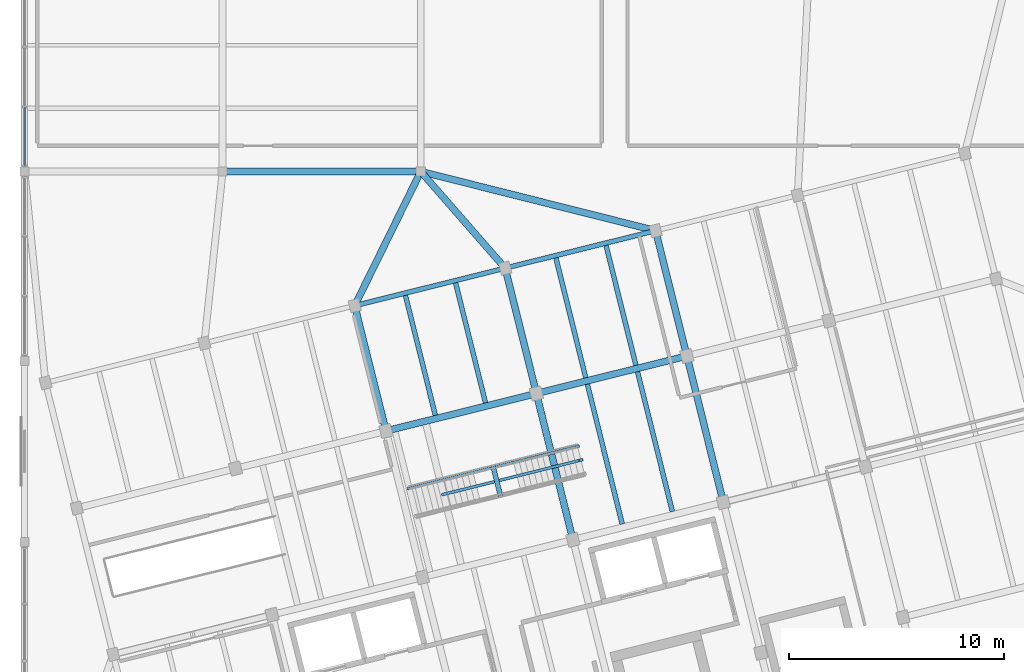
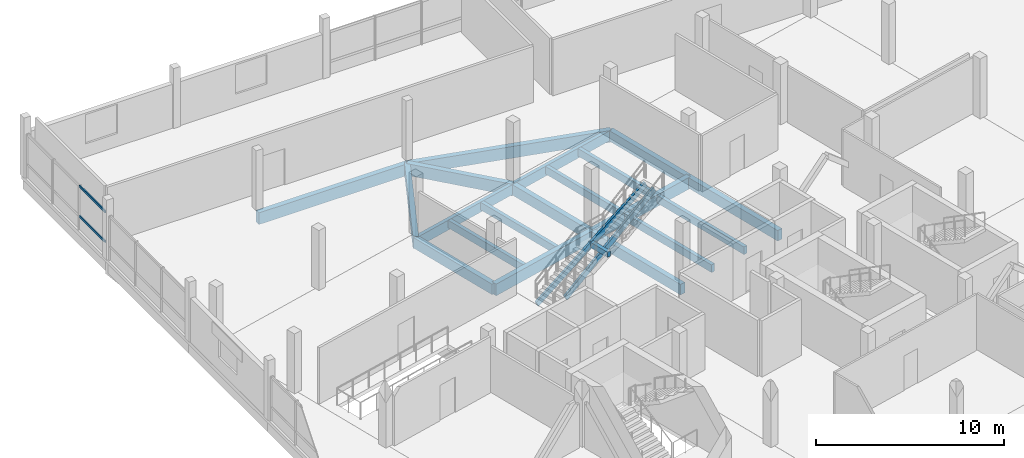
# One storey, part 31 of 47: 20 beams, 4 members, 1 element without a shape of its own.
"""IFC4 building model written with IfcOpenShell, lengths in metres."""

import ifcopenshell
import ifcopenshell.guid

model = None  # the IFC model being written
_history = None  # IfcOwnerHistory: only IFC2X3 demands one
_inside = {}  # id of a spatial element -> (the spatial element, [elements in it])
_under = {}  # id of a project, library or spatial element -> (it, [spatial elements below it])
_declared = {}  # id of a project -> (the project, [libraries it declares])
_typed = {}  # id of a type object -> (the type object, [elements of that type])
_made_of = {}  # id of a material, layer set ... -> (it, [elements and type objects made of it])


def new_model(schema):
    """Start an empty IFC model of exactly this schema.

    Asked for "IFC4X3", IfcOpenShell would pick the latest addendum, in which some entities
    have other attributes; the version numbers below select the first issue.
    IFC2X3 requires an IfcOwnerHistory on every rooted entity: one is made here for all.
    """
    global model, _history
    if schema == "IFC4X3":
        model = ifcopenshell.file(schema_version=(4, 3, 0, 0))
    else:
        model = ifcopenshell.file(schema=schema)
    _inside.clear()
    _under.clear()
    _declared.clear()
    _typed.clear()
    _made_of.clear()
    _history = None
    if model.schema == "IFC2X3":
        org = make("IfcOrganization", Name="unknown")
        user = make(
            "IfcPersonAndOrganization",
            ThePerson=make("IfcPerson", FamilyName="unknown"),
            TheOrganization=org,
        )
        app = make(
            "IfcApplication",
            ApplicationDeveloper=org,
            Version="unknown",
            ApplicationFullName="unknown",
            ApplicationIdentifier="unknown",
        )
        _history = make(
            "IfcOwnerHistory",
            OwningUser=user,
            OwningApplication=app,
            ChangeAction="ADDED",
            CreationDate=0,
        )
    return model


def make(cls, **values):
    """One entity of the class cls with the attributes given. An attribute that is None is left unset."""
    return model.create_entity(
        cls, **{name: value for name, value in values.items() if value is not None}
    )


def rooted(cls, **values):
    """An entity with a GlobalId (a new one), such as an element, a storey or a relation."""
    return make(cls, GlobalId=ifcopenshell.guid.new(), OwnerHistory=_history, **values)


def si_unit(unit_type, name, prefix=None):
    """IfcSIUnit, for example si_unit("LENGTHUNIT", "METRE", prefix="MILLI")."""
    return make("IfcSIUnit", UnitType=unit_type, Prefix=prefix, Name=name)


def assignment(units):
    """IfcUnitAssignment: the units of a project."""
    return None if units is None else make("IfcUnitAssignment", Units=units)


def point(xyz):
    """IfcCartesianPoint."""
    return None if xyz is None else make("IfcCartesianPoint", Coordinates=xyz)


def direction(xyz):
    """IfcDirection."""
    return None if xyz is None else make("IfcDirection", DirectionRatios=xyz)


def frame(location, z_axis=None, x_axis=None):
    """IfcAxis2Placement3D, a coordinate frame: its origin and axes. An axis left out is left unset."""
    return make(
        "IfcAxis2Placement3D",
        Location=point(location),
        Axis=direction(z_axis),
        RefDirection=direction(x_axis),
    )


def frame_2d(location, x_axis=None):
    """IfcAxis2Placement2D, a coordinate frame in the plane: its origin and x axis."""
    return make(
        "IfcAxis2Placement2D", Location=point(location), RefDirection=direction(x_axis)
    )


def origin():
    """The frame at (0, 0, 0) with its axes left unset."""
    return frame((0.0, 0.0, 0.0))


def origin_2d():
    """The frame at (0, 0) in the plane with its x axis left unset."""
    return frame_2d((0.0, 0.0))


def place(relative_to, where):
    """IfcLocalPlacement: puts the frame where relative to a parent placement (None: the world)."""
    return make(
        "IfcLocalPlacement", PlacementRelTo=relative_to, RelativePlacement=where
    )


def context(
    kind, dimensions, precision=None, world=None, true_north=None, identifier=None
):
    """IfcGeometricRepresentationContext, for example the 3D "Model" context."""
    return make(
        "IfcGeometricRepresentationContext",
        ContextIdentifier=identifier,
        ContextType=kind,
        CoordinateSpaceDimension=dimensions,
        Precision=precision,
        WorldCoordinateSystem=world,
        TrueNorth=true_north,
    )


def subcontext(parent, identifier, kind, view, scale=None):
    """IfcGeometricRepresentationSubContext, for example "Body" below "Model"."""
    return make(
        "IfcGeometricRepresentationSubContext",
        ContextIdentifier=identifier,
        ContextType=kind,
        ParentContext=parent,
        TargetScale=scale,
        TargetView=view,
    )


def project(units=None, contexts=None):
    """IfcProject with its units and contexts."""
    return rooted(
        "IfcProject",
        Name="project",
        RepresentationContexts=contexts,
        UnitsInContext=assignment(units),
    )


def spatial(cls, under=None, at=None, **own):
    """A site, building, storey or space (cls), placed at a placement, below another one or the project."""
    s = rooted(cls, ObjectPlacement=at, **own)
    if under is not None:
        _under.setdefault(under.id(), (under, []))[1].append(s)
    return s


def profile(cls, at=None, kind="AREA", **sizes):
    """A parametric profile (cls). Its sizes go by their IFC names, for example OverallWidth=200.0."""
    return make(cls, ProfileType=kind, Position=at, **sizes)


def rectangle(**sizes):
    """IfcRectangleProfileDef."""
    return profile("IfcRectangleProfileDef", **sizes)


def hollow_rectangle(**sizes):
    """IfcRectangleHollowProfileDef."""
    return profile("IfcRectangleHollowProfileDef", **sizes)


def extrude(swept, where, along, depth):
    """IfcExtrudedAreaSolid: the profile swept, set in the frame where, extruded along a direction by depth."""
    return make(
        "IfcExtrudedAreaSolid",
        SweptArea=swept,
        Position=where,
        ExtrudedDirection=direction(along),
        Depth=depth,
    )


def shape(context_of_items, identifier, shape_type, items):
    """IfcShapeRepresentation: the items that make up one representation, for example the "Body"."""
    return make(
        "IfcShapeRepresentation",
        ContextOfItems=context_of_items,
        RepresentationIdentifier=identifier,
        RepresentationType=shape_type,
        Items=items,
    )


def material(Name=None, Category=None):
    """IfcMaterial."""
    return make("IfcMaterial", Name=Name, Category=Category)


def layer(
    of_material, thickness, ventilated=None, Name=None, Category=None, Priority=None
):
    """IfcMaterialLayer: one layer of a wall or slab, of a material (None: an air gap)."""
    return make(
        "IfcMaterialLayer",
        Material=of_material,
        LayerThickness=thickness,
        IsVentilated=ventilated,
        Name=Name,
        Category=Category,
        Priority=Priority,
    )


def layer_set(layers, Name=None):
    """IfcMaterialLayerSet."""
    return make("IfcMaterialLayerSet", MaterialLayers=layers, LayerSetName=Name)


def material_profile(
    of_material, cross_section, Name=None, Category=None, Priority=None
):
    """IfcMaterialProfile: a cross section and its material."""
    return make(
        "IfcMaterialProfile",
        Name=Name,
        Material=of_material,
        Profile=cross_section,
        Priority=Priority,
        Category=Category,
    )


def profile_set(profiles, Name=None, composite=None):
    """IfcMaterialProfileSet."""
    return make(
        "IfcMaterialProfileSet",
        Name=Name,
        MaterialProfiles=profiles,
        CompositeProfile=composite,
    )


def made_of(thing, what):
    """Note that an element or type object is made of a material, layer set ...; save() writes the relation."""
    if what is not None:
        _made_of.setdefault(what.id(), (what, []))[1].append(thing)
    return thing


def type_object(cls, material=None, **own):
    """A type object (cls), such as IfcWallType, which elements share."""
    return made_of(rooted(cls, **own), material)


def element(
    cls,
    number,
    at=None,
    inside=None,
    cuts=None,
    type_object=None,
    material=None,
    context=None,
    identifier="Body",
    shape_type=None,
    held_by="IfcProductDefinitionShape",
    body=None,
    shapes=None,
    **own,
):
    """One element of the class cls, such as IfcWall. Its Tag is "e" and its number.

    at: its placement. inside: the storey or other place that contains it. cuts: it is an
    opening in that element (IfcRelVoidsElement). A single representation is given by context,
    identifier, shape_type and body (its items); several are given by shapes. held_by: the class
    of the entity that holds the representations. save() writes the other relations.
    """
    e = rooted(cls, Tag="e%d" % number, ObjectPlacement=at, **own)
    if body is not None:
        shapes = [shape(context, identifier, shape_type, body)]
    if shapes is not None:
        e.Representation = make(held_by, Representations=shapes)
    if inside is not None:
        _inside.setdefault(inside.id(), (inside, []))[1].append(e)
    if cuts is not None:
        rooted(
            "IfcRelVoidsElement", RelatingBuildingElement=cuts, RelatedOpeningElement=e
        )
    if type_object is not None:
        _typed.setdefault(type_object.id(), (type_object, []))[1].append(e)
    return made_of(e, material)


def aggregate(whole, parts):
    """IfcRelAggregates: a whole, such as a stair, and the parts it consists of."""
    return rooted("IfcRelAggregates", RelatingObject=whole, RelatedObjects=parts)


def save(model, path):
    """Write the relations noted so far, then the file.

    IfcRelAggregates (storeys below a building ...), IfcRelContainedInSpatialStructure (elements
    in a storey), IfcRelDefinesByType, IfcRelAssociatesMaterial and IfcRelDeclares: one each for
    every whole, place, type object, material and project.
    """
    for whole, parts in _under.values():
        aggregate(whole, parts)
    for where, things in _inside.values():
        rooted(
            "IfcRelContainedInSpatialStructure",
            RelatedElements=things,
            RelatingStructure=where,
        )
    for kind, things in _typed.values():
        rooted("IfcRelDefinesByType", RelatedObjects=things, RelatingType=kind)
    for what, things in _made_of.values():
        rooted("IfcRelAssociatesMaterial", RelatedObjects=things, RelatingMaterial=what)
    for by, libraries in _declared.values():
        rooted("IfcRelDeclares", RelatingContext=by, RelatedDefinitions=libraries)
    model.write(path)


model = new_model("IFC4")

# Units and contexts
model_context = context("Model", 3, precision=1e-05, world=origin(), true_north=direction((0.0, 1.0)))
body_context = subcontext(model_context, "Body", "Model", "MODEL_VIEW")
ifc_project = project(units=[si_unit("LENGTHUNIT", "METRE"), si_unit("AREAUNIT", "SQUARE_METRE"), si_unit("VOLUMEUNIT", "CUBIC_METRE"), si_unit("PLANEANGLEUNIT", "RADIAN"), si_unit("MASSUNIT", "GRAM", prefix="KILO")], contexts=[model_context])

# Site, building, storey
site_placement = place(None, origin())
site = spatial("IfcSite", under=ifc_project, at=site_placement, CompositionType="ELEMENT")
building_placement = place(site_placement, origin())
building = spatial("IfcBuilding", under=site, at=building_placement, Name="Meriwether Solvik Hall", CompositionType="ELEMENT")
storey_placement = place(building_placement, frame((0.0, 0.0, 18.300048828125)))
storey = spatial("IfcBuildingStorey", under=building, at=storey_placement, Name="L04", CompositionType="ELEMENT", Elevation=18.300048828125)

# Beams
ifc_material_1 = material(Name="Glulam Douglas-Fir 24F-V8 GL28h", Category="wood")
ifc_material_profile_1 = material_profile(ifc_material_1, rectangle(XDim=0.221923828125, YDim=0.64501953125, at=origin_2d()), Name="GLB-222X645")
ifc_profile_set_1 = profile_set([ifc_material_profile_1], Name="Glulam Douglas-Fir 24F-V8 GL28h")
beam_type_1 = type_object("IfcBeamType", Name="BM-GL-222X645", PredefinedType="SPANDREL", material=ifc_profile_set_1)
for number, where, z_axis, x_axis, name in (
    (1, (74.735107421875, 77.7705078125, -0.567626953125), (0.970291911955, 0.241937193493, 0.0), (-0.241937193493, 0.970291911955, 0.0), "Tower Girder TF:T3-T4 (L04)"),
    (2, (81.72119140625, 79.512451171875, -0.567626953125), (0.970299871507, 0.241905269381, 0.0), (-0.241905269381, 0.970299871507, 0.0), "Tower Girder TF:T4-T5 (L04)"),
):
    element("IfcBeam", number, at=place(storey_placement, frame(where, z_axis=z_axis, x_axis=x_axis)), inside=storey, type_object=beam_type_1, Name=name, PredefinedType="SPANDREL", context=body_context, shape_type="SweptSolid", body=[
        extrude(rectangle(XDim=0.221923828125, YDim=0.64501953125, at=origin_2d()), origin(), (0.0, 0.0, 1.0), 7.199951171875),
    ])
ifc_material_2 = material(Name="Glulam Douglas-Fir 24F-V8 GL28h", Category="wood")
ifc_material_profile_2 = material_profile(ifc_material_2, rectangle(XDim=0.31494140625, YDim=0.68505859375, at=origin_2d()), Name="GLB-315X685")
ifc_profile_set_2 = profile_set([ifc_material_profile_2], Name="Glulam Douglas-Fir 24F-V8 GL28h")
beam_type_2 = type_object("IfcBeamType", Name="BM-GL-315X685", PredefinedType="BEAM", material=ifc_profile_set_2)
beam_1_placement = place(storey_placement, frame((76.1865234375, 71.94873046875, -0.587646484375), z_axis=(-0.241903677572, 0.970300268359, 0.0), x_axis=(-0.970300268359, -0.241903677572, 0.0)))
element("IfcBeam", 3, at=beam_1_placement, inside=storey, type_object=beam_type_2, Name="Tower Girder T3:TE-TF (L04)", PredefinedType="BEAM", context=body_context, shape_type="SweptSolid", body=[
    extrude(rectangle(XDim=0.31494140625, YDim=0.68505859375, at=origin_2d()), origin(), (0.0, 0.0, 1.0), 6.0),
])
beam_2_placement = place(storey_placement, frame((84.8662109375, 66.8984375, -0.587646484375), z_axis=(-0.241936527961, 0.970292077901, 0.0), x_axis=(-0.970292077901, -0.241936527961, 0.0)))
element("IfcBeam", 4, at=beam_2_placement, inside=storey, type_object=beam_type_2, Name="Tower Girder T4:TD-TE (L04)", PredefinedType="BEAM", context=body_context, shape_type="SweptSolid", body=[
    extrude(rectangle(XDim=0.31494140625, YDim=0.68505859375, at=origin_2d()), origin(), (0.0, 0.0, 1.0), 7.000244140625),
])
beam_3_placement = place(storey_placement, frame((83.172607421875, 73.690673828125, -0.587646484375), z_axis=(-0.241903677572, 0.970300268359, 0.0), x_axis=(-0.970300268359, -0.241903677572, 0.0)))
element("IfcBeam", 5, at=beam_3_placement, inside=storey, type_object=beam_type_2, Name="Tower Girder T4:TE-TF (L04)", PredefinedType="BEAM", context=body_context, shape_type="SweptSolid", body=[
    extrude(rectangle(XDim=0.31494140625, YDim=0.68505859375, at=origin_2d()), origin(), (0.0, 0.0, 1.0), 6.0),
])
beam_4_placement = place(storey_placement, frame((91.852294921875, 68.640380859375, -0.587646484375), z_axis=(-0.241911879182, 0.970298223594, 0.0), x_axis=(-0.970298223594, -0.241911879182, 0.0)))
element("IfcBeam", 6, at=beam_4_placement, inside=storey, type_object=beam_type_2, Name="Tower Girder T5:TD-TE (L04)", PredefinedType="BEAM", context=body_context, shape_type="SweptSolid", body=[
    extrude(rectangle(XDim=0.31494140625, YDim=0.68505859375, at=origin_2d()), origin(), (0.0, 0.0, 1.0), 7.0),
])
beam_5_placement = place(storey_placement, frame((90.158935546875, 75.432373046875, -0.587646484375), z_axis=(-0.241941986192, 0.970290716908, 0.0), x_axis=(-0.970290716908, -0.241941986192, 0.0)))
element("IfcBeam", 7, at=beam_5_placement, inside=storey, type_object=beam_type_2, Name="Tower Girder T5:TE-TF (L04)", PredefinedType="BEAM", context=body_context, shape_type="SweptSolid", body=[
    extrude(rectangle(XDim=0.31494140625, YDim=0.68505859375, at=origin_2d()), origin(), (0.0, 0.0, 1.0), 6.0),
])
ifc_material_3 = material(Name="Glulam Douglas-Fir 24F-V8 GL28h", Category="wood")
ifc_material_profile_3 = material_profile(ifc_material_3, rectangle(XDim=0.31494140625, YDim=0.760009765625, at=origin_2d()), Name="GLB-315X760")
ifc_profile_set_3 = profile_set([ifc_material_profile_3], Name="Glulam Douglas-Fir 24F-V8 GL28h")
beam_type_3 = type_object("IfcBeamType", Name="BM-GL-315X760", PredefinedType="BEAM", material=ifc_profile_set_3)
beam_6_placement = place(storey_placement, frame((68.60009765625, 84.0, -0.625), z_axis=(1.0, 0.0, 0.0), x_axis=(0.0, 1.0, 0.0)))
element("IfcBeam", 8, at=beam_6_placement, inside=storey, type_object=beam_type_3, Name="Podium Girder J:8-9 (L04)", PredefinedType="BEAM", context=body_context, shape_type="SweptSolid", body=[
    extrude(rectangle(XDim=0.31494140625, YDim=0.760009765625, at=origin_2d()), origin(), (0.0, 0.0, 1.0), 9.199951171875),
])
beam_7_placement = place(storey_placement, frame((74.735107421875, 77.7705078125, -0.625), z_axis=(0.44146540955, 0.897278269084, 0.0), x_axis=(-0.897278269084, 0.44146540955, 0.0)))
element("IfcBeam", 9, at=beam_7_placement, inside=storey, type_object=beam_type_3, Name="Diaphragm Collector Girder T3/TF-9/J (L04)", PredefinedType="BEAM", context=body_context, shape_type="SweptSolid", body=[
    extrude(rectangle(XDim=0.31494140625, YDim=0.760009765625, at=origin_2d()), origin(), (0.0, 0.0, 1.0), 6.942626953125),
])
beam_8_placement = place(storey_placement, frame((81.72119140625, 79.512451171875, -0.625), z_axis=(-0.657985282871, 0.7530307879, 0.0), x_axis=(-0.7530307879, -0.657985282871, 0.0)))
element("IfcBeam", 10, at=beam_8_placement, inside=storey, type_object=beam_type_3, Name="Diaphragm Collector Girder T4/TF-9/J (L04)", PredefinedType="BEAM", context=body_context, shape_type="SweptSolid", body=[
    extrude(rectangle(XDim=0.31494140625, YDim=0.760009765625, at=origin_2d()), origin(), (0.0, 0.0, 1.0), 5.959228515625),
])
beam_9_placement = place(storey_placement, frame((88.707275390625, 81.254150390625, -0.625), z_axis=(-0.969742820247, 0.244128782776, 0.0), x_axis=(-0.244128782776, -0.969742820247, 0.0)))
element("IfcBeam", 11, at=beam_9_placement, inside=storey, type_object=beam_type_3, Name="Diaphragm Collector Girder T5/TF-9/J (L04)", PredefinedType="BEAM", context=body_context, shape_type="SweptSolid", body=[
    extrude(rectangle(XDim=0.31494140625, YDim=0.760009765625, at=origin_2d()), origin(), (0.0, 0.0, 1.0), 11.24755859375),
])
beam_10_placement = place(storey_placement, frame((76.1865234375, 71.94873046875, -0.625), z_axis=(0.970291911955, 0.241937193493, 0.0), x_axis=(-0.241937193493, 0.970291911955, 0.0)))
element("IfcBeam", 12, at=beam_10_placement, inside=storey, type_object=beam_type_3, Name="Tower Girder TE:T3-T4 (L04)", PredefinedType="BEAM", context=body_context, shape_type="SweptSolid", body=[
    extrude(rectangle(XDim=0.31494140625, YDim=0.760009765625, at=origin_2d()), origin(), (0.0, 0.0, 1.0), 7.199951171875),
])
beam_11_placement = place(storey_placement, frame((83.172607421875, 73.690673828125, -0.625), z_axis=(0.970301855688, 0.241897310542, 0.0), x_axis=(-0.241897310542, 0.970301855688, 0.0)))
element("IfcBeam", 13, at=beam_11_placement, inside=storey, type_object=beam_type_3, Name="Tower Girder TE:T4-T5 (L04)", PredefinedType="BEAM", context=body_context, shape_type="SweptSolid", body=[
    extrude(rectangle(XDim=0.31494140625, YDim=0.760009765625, at=origin_2d()), origin(), (0.0, 0.0, 1.0), 7.2001953125),
])
ifc_material_4 = material(Name="Glulam Douglas-Fir 24F-V8 GL28h", Category="wood")
ifc_material_profile_4 = material_profile(ifc_material_4, rectangle(XDim=0.221923828125, YDim=0.340087890625, at=origin_2d()), Name="GLB-222X340")
ifc_profile_set_4 = profile_set([ifc_material_profile_4], Name="Glulam Douglas-Fir 24F-V8 GL28h")
beam_type_4 = type_object("IfcBeamType", Name="BM-LND-GL-222X340", PredefinedType="BEAM", material=ifc_profile_set_4)
beam_12_placement = place(storey_placement, frame((81.507080078125, 68.9208984375, 1.60498046875), z_axis=(-0.241941348057, 0.970290876027, 0.0), x_axis=(-0.970290876027, -0.241941348057, 0.0)))
element("IfcBeam", 14, at=beam_12_placement, inside=storey, type_object=beam_type_4, Name="Stair ST-ED2 Landing Cross-Bearer", PredefinedType="BEAM", context=body_context, shape_type="SweptSolid", body=[
    extrude(rectangle(XDim=0.221923828125, YDim=0.340087890625, at=origin_2d()), origin(), (0.0, 0.0, 1.0), 1.449951171875),
])

# Curtain wall, members
ifc_material_5 = material(Name="Thermally Broken Anodised Aluminium 6063-T6 and Low-E Glass", Category="aluminium")
ifc_layer = layer(ifc_material_5, 0.179931640625)
ifc_layer_set = layer_set([ifc_layer], Name="Thermally Broken Anodised Aluminium 6063-T6 and Low-E Glass")
curtain_wall_type = type_object("IfcCurtainWallType", Name="CW-UNIT-E", PredefinedType="USERDEFINED", material=ifc_layer_set)
curtain_wall_placement = place(storey_placement, origin())
curtain_wall = element("IfcCurtainWall", 15, at=curtain_wall_placement, inside=storey, type_object=curtain_wall_type, Name="Curtain Wall wing_Y7_10_21 (L04)", ObjectType="UNITISED CURTAIN WALL", PredefinedType="USERDEFINED")
ifc_material_6 = material(Name="Anodised Aluminium 6063-T6", Category="aluminium")
ifc_material_profile_5 = material_profile(ifc_material_6, hollow_rectangle(XDim=0.070068359375, YDim=0.14990234375, WallThickness=0.0048828125, at=origin_2d()), Name="CWT-70X150")
ifc_profile_set_5 = profile_set([ifc_material_profile_5], Name="Anodised Aluminium 6063-T6")
member_type_1 = type_object("IfcMemberType", Name="CW-TRN-70X150", PredefinedType="USERDEFINED", material=ifc_profile_set_5)
member_1_placement = place(storey_placement, frame((59.39990234375, 84.260009765625, 0.8564453125), z_axis=(0.0, 1.0, 0.0), x_axis=(-1.0, 0.0, 0.0)))
member_1 = element("IfcMember", 16, at=member_1_placement, type_object=member_type_1, Name="Curtain Wall Transom 1-sill", ObjectType="TRANSOM", PredefinedType="USERDEFINED", context=body_context, shape_type="SweptSolid", body=[
    extrude(hollow_rectangle(XDim=0.070068359375, YDim=0.14990234375, WallThickness=0.0048828125, at=origin_2d()), origin(), (0.0, 0.0, 1.0), 2.747314453125),
])
member_2_placement = place(storey_placement, frame((59.39990234375, 84.260009765625, 2.794921875), z_axis=(0.0, 1.0, 0.0), x_axis=(-1.0, 0.0, 0.0)))
member_2 = element("IfcMember", 17, at=member_2_placement, type_object=member_type_1, Name="Curtain Wall Transom 1-head", ObjectType="TRANSOM", PredefinedType="USERDEFINED", context=body_context, shape_type="SweptSolid", body=[
    extrude(hollow_rectangle(XDim=0.070068359375, YDim=0.14990234375, WallThickness=0.0048828125, at=origin_2d()), origin(), (0.0, 0.0, 1.0), 2.747314453125),
])
aggregate(curtain_wall, [member_1, member_2])

# Beams
ifc_material_7 = material(Name="Glulam Douglas-Fir 24F-V8 GL28h", Category="wood")
ifc_material_profile_6 = material_profile(ifc_material_7, rectangle(XDim=0.221923828125, YDim=0.4951171875, at=origin_2d()), Name="GLJ-222X495")
ifc_profile_set_6 = profile_set([ifc_material_profile_6], Name="Glulam Douglas-Fir 24F-V8 GL28h")
beam_type_5 = type_object("IfcBeamType", Name="JST-GL-222X495", PredefinedType="JOIST", material=ifc_profile_set_6)
for number, where, z_axis, x_axis, name in (
    (18, (78.478271484375, 72.67724609375, -0.492431640625), (-0.241905253991, 0.970299875343, 0.0), (-0.970299875343, -0.241905253991, 0.0), "Glulam Floor Joist T3/TE-J1 (L04)"),
    (19, (80.80712890625, 73.2578125, -0.492431640625), (-0.241905253991, 0.970299875343, 0.0), (-0.970299875343, -0.241905253991, 0.0), "Glulam Floor Joist T3/TE-J2 (L04)"),
):
    element("IfcBeam", number, at=place(storey_placement, frame(where, z_axis=z_axis, x_axis=x_axis)), inside=storey, type_object=beam_type_5, Name=name, PredefinedType="JOIST", context=body_context, shape_type="SweptSolid", body=[
        extrude(rectangle(XDim=0.221923828125, YDim=0.4951171875, at=origin_2d()), origin(), (0.0, 0.0, 1.0), 5.741455078125),
    ])
beam_13_placement = place(storey_placement, frame((87.157958984375, 67.626953125, -0.492431640625), z_axis=(-0.241909233393, 0.970298883231, 0.0), x_axis=(-0.970298883231, -0.241909233393, 0.0)))
element("IfcBeam", 20, at=beam_13_placement, inside=storey, type_object=beam_type_5, Name="Glulam Floor Joist T4/TD-J1 (L04)", PredefinedType="JOIST", context=body_context, shape_type="SweptSolid", body=[
    extrude(rectangle(XDim=0.221923828125, YDim=0.4951171875, at=origin_2d()), origin(), (0.0, 0.0, 1.0), 6.6953125),
])
beam_14_placement = place(storey_placement, frame((89.486572265625, 68.207763671875, -0.492431640625), z_axis=(-0.241917792922, 0.970296749179, 0.0), x_axis=(-0.970296749179, -0.241917792922, 0.0)))
element("IfcBeam", 21, at=beam_14_placement, inside=storey, type_object=beam_type_5, Name="Glulam Floor Joist T4/TD-J2 (L04)", PredefinedType="JOIST", context=body_context, shape_type="SweptSolid", body=[
    extrude(rectangle(XDim=0.221923828125, YDim=0.4951171875, at=origin_2d()), origin(), (0.0, 0.0, 1.0), 6.695068359375),
])
for number, where, z_axis, x_axis, name in (
    (22, (85.464599609375, 74.419189453125, -0.492431640625), (-0.241955269204, 0.970287404692, 0.0), (-0.970287404692, -0.241955269204, 0.0), "Glulam Floor Joist T4/TE-J1 (L04)"),
    (23, (87.793212890625, 74.999755859375, -0.492431640625), (-0.241905253991, 0.970299875343, 0.0), (-0.970299875343, -0.241905253991, 0.0), "Glulam Floor Joist T4/TE-J2 (L04)"),
):
    element("IfcBeam", number, at=place(storey_placement, frame(where, z_axis=z_axis, x_axis=x_axis)), inside=storey, type_object=beam_type_5, Name=name, PredefinedType="JOIST", context=body_context, shape_type="SweptSolid", body=[
        extrude(rectangle(XDim=0.221923828125, YDim=0.4951171875, at=origin_2d()), origin(), (0.0, 0.0, 1.0), 5.741455078125),
    ])

# Members
ifc_material_8 = material(Name="Glulam Douglas-Fir 24F-V8 GL28h", Category="wood")
ifc_material_profile_7 = material_profile(ifc_material_8, rectangle(XDim=0.1298828125, YDim=0.3798828125, at=origin_2d()), Name="GLM-130X380")
ifc_profile_set_7 = profile_set([ifc_material_profile_7], Name="Glulam Douglas-Fir 24F-V8 GL28h")
member_type_2 = type_object("IfcMemberType", Name="MEM-STR-GL130", PredefinedType="STRINGER", material=ifc_profile_set_7)
member_3_placement = place(storey_placement, frame((77.262939453125, 69.284912109375, -0.364990234375), z_axis=(0.873422821661, 0.217776295589, 0.435552591178), x_axis=(-0.241929768887, 0.970293763211, 0.0)))
element("IfcMember", 24, at=member_3_placement, inside=storey, type_object=member_type_2, Name="Stair ST-ED2 Glulam Stringer R", PredefinedType="STRINGER", context=body_context, shape_type="SweptSolid", body=[
    extrude(rectangle(XDim=0.1298828125, YDim=0.3798828125, at=origin_2d()), origin(), (0.0, 0.0, 1.0), 8.953857421875),
])
member_4_placement = place(storey_placement, frame((78.8603515625, 69.00830078125, -0.364990234375), z_axis=(0.834601990341, 0.20808375114, 0.510039871216), x_axis=(-0.241915441849, 0.970297335354, 0.0)))
element("IfcMember", 25, at=member_4_placement, inside=storey, type_object=member_type_2, Name="Stair ST-ED2 Glulam Stringer C", PredefinedType="STRINGER", context=body_context, shape_type="SweptSolid", body=[
    extrude(rectangle(XDim=0.1298828125, YDim=0.3798828125, at=origin_2d()), origin(), (0.0, 0.0, 1.0), 7.646240234375),
])

save(model, "model.ifc")
